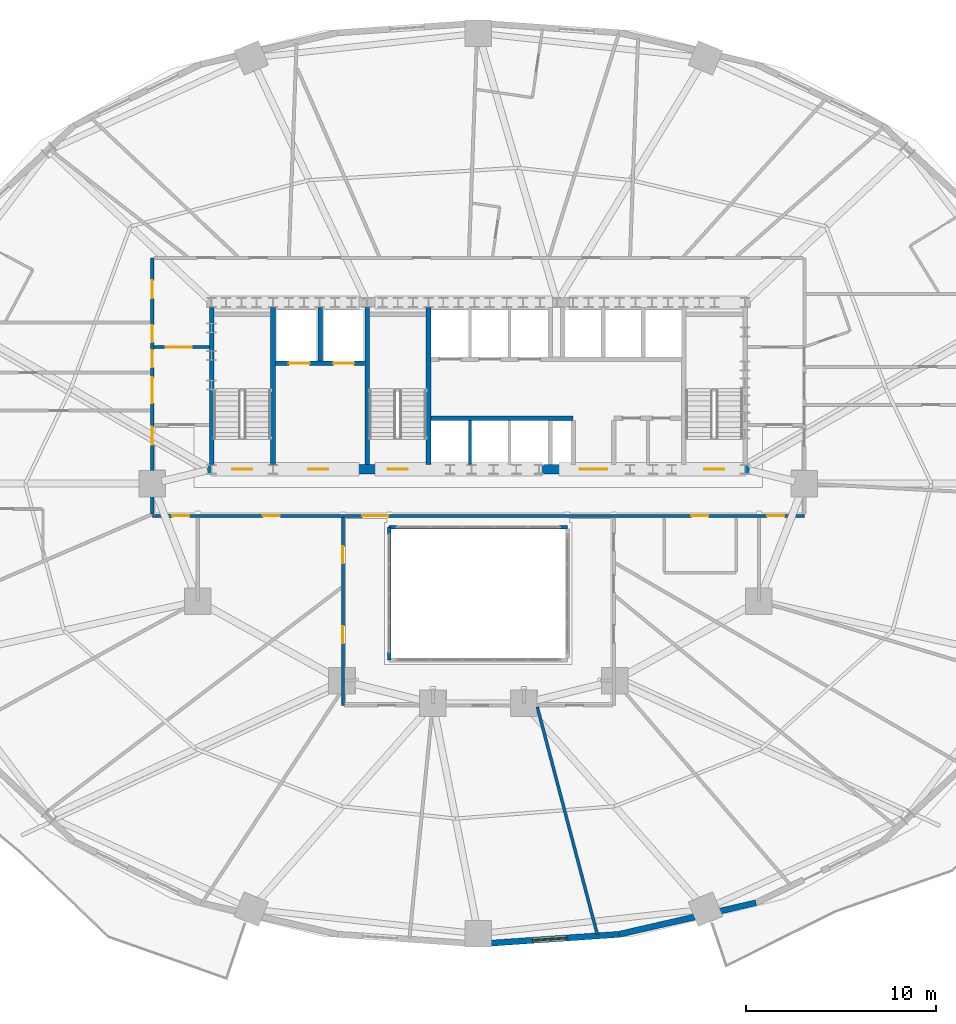
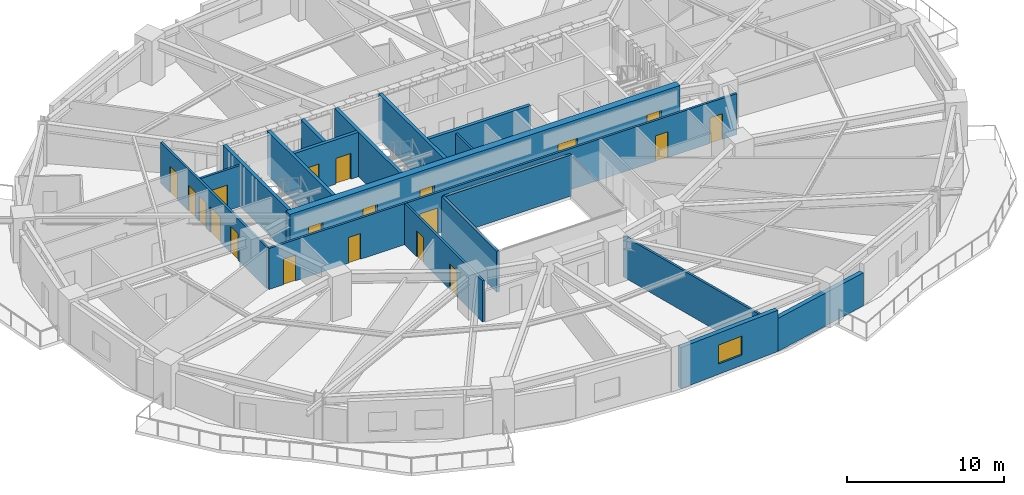
# One storey, part 10 of 17: 20 doors, 18 walls, 1 window, 21 openings.
"""IFC4 building model written with IfcOpenShell, lengths in metres."""

from ifc_helpers import new_model, si_unit, direction, frame, frame_2d, origin, place, context, subcontext, project, spatial, rectangle, extrude, material, layer, layer_set, type_object, element, fill, save


model = new_model("IFC4")

# Units and contexts
model_context = context("Model", 3, precision=1e-05, world=origin(), true_north=direction((0.0, 1.0)))
body_context = subcontext(model_context, "Body", "Model", "MODEL_VIEW")
ifc_project = project(units=[si_unit("LENGTHUNIT", "METRE"), si_unit("AREAUNIT", "SQUARE_METRE"), si_unit("VOLUMEUNIT", "CUBIC_METRE"), si_unit("PLANEANGLEUNIT", "RADIAN"), si_unit("MASSUNIT", "GRAM", prefix="KILO")], contexts=[model_context])

# Site, building, storey
site_placement = place(None, origin())
site = spatial("IfcSite", under=ifc_project, at=site_placement, CompositionType="ELEMENT")
building_placement = place(site_placement, origin())
building = spatial("IfcBuilding", under=site, at=building_placement, Name="Haldorwick Loom Tower", CompositionType="ELEMENT")
storey_placement = place(building_placement, frame((0.0, 0.0, 44.699951171875)))
storey = spatial("IfcBuildingStorey", under=building, at=storey_placement, Name="L11", CompositionType="ELEMENT", Elevation=44.699951171875)

# Wall, opening, window
ifc_material_1 = material(Name="Pressed Clay Face Brick and Insulated Masonry Backup Assembly", Category="masonry")
ifc_layer_1 = layer(ifc_material_1, 0.320068359375, Name="Pressed Clay Face Brick and Insulated Masonry Backup Assembly", Category="masonry")
ifc_layer_set_1 = layer_set([ifc_layer_1], Name="Pressed Clay Face Brick and Insulated Masonry Backup Assembly")
wall_type_1 = type_object("IfcWallType", Name="ARC-WL-EXT320", PredefinedType="STANDARD", material=ifc_layer_set_1)
wall_1_placement = place(storey_placement, frame((36.0, 1.7099609375, 0.0), z_axis=(0.0, 0.0, 1.0), x_axis=(0.997645161917, 0.068586667092, 0.0)))
wall_1 = element("IfcWall", 1, at=wall_1_placement, inside=storey, type_object=wall_type_1, Name="L11 Brick Pier and Spandrel Wall 19", PredefinedType="STANDARD", context=body_context, shape_type="SweptSolid", body=[
    extrude(rectangle(XDim=7.428955078125, YDim=0.320068359375, at=frame_2d((3.71435546875, 0.0))), origin(), (0.0, 0.0, 1.0), 3.2099609375),
])
opening_1_placement = place(wall_1_placement, frame((2.874755859375, 0.0, 0.800048828125)))
opening_1 = element("IfcOpeningElement", 2, at=opening_1_placement, cuts=wall_1, Name="Opening W-01", PredefinedType="OPENING", context=body_context, shape_type="SweptSolid", body=[
    extrude(rectangle(XDim=1.800048828125, YDim=1.47998046875, at=frame_2d((0.89990234375, 0.739990234375))), frame((0.0, 0.169921875, 0.0), z_axis=(0.0, -1.0, 0.0), x_axis=(1.0, 0.0, 0.0)), (0.0, 0.0, 1.0), 0.340087890625),
])
ifc_material_2 = material(Name="Triple-Glazed Low-E Argon Insulated Glazing Unit", Category="glass")
window_type = type_object("IfcWindowType", Name="ARC-WIN-W180", PartitioningType="SINGLE_PANEL", PredefinedType="WINDOW", material=ifc_material_2)
window_placement = place(opening_1_placement, origin())
window = element("IfcWindow", 3, at=window_placement, inside=storey, type_object=window_type, Name="L11 Deep-Set Zone 7A Window 19", OverallHeight=1.47998046875, OverallWidth=1.800048828125, PartitioningType="SINGLE_PANEL", PredefinedType="WINDOW", context=body_context, shape_type="SweptSolid", body=[
    extrude(rectangle(XDim=1.800048828125, YDim=1.47998046875, at=frame_2d((0.89990234375, 0.739990234375))), frame((0.0, 0.030029296875, 0.0), z_axis=(0.0, -1.0, 0.0), x_axis=(1.0, 0.0, 0.0)), (0.0, 0.0, 1.0), 0.06005859375),
])
fill(opening_1, window)

# Wall
wall_2_placement = place(storey_placement, frame((43.411376953125, 2.219482421875, 0.0), z_axis=(0.0, 0.0, 1.0), x_axis=(0.974522412345, 0.224290142088, 0.0)))
element("IfcWall", 4, at=wall_2_placement, inside=storey, type_object=wall_type_1, Name="L11 Brick Pier and Spandrel Wall 20", PredefinedType="STANDARD", context=body_context, shape_type="SweptSolid", body=[
    extrude(rectangle(XDim=7.422607421875, YDim=0.320068359375, at=frame_2d((3.71142578125, 0.0))), origin(), (0.0, 0.0, 1.0), 2.569091796875),
])

# Wall, openings, doors
ifc_material_3 = material(Name="Fire-Rated Type X Gypsum Stud Assembly EI 60")
ifc_layer_2 = layer(ifc_material_3, 0.159912109375, Name="Fire-Rated Type X Gypsum Stud Assembly EI 60")
ifc_layer_set_2 = layer_set([ifc_layer_2], Name="Fire-Rated Type X Gypsum Stud Assembly EI 60")
wall_type_2 = type_object("IfcWallType", Name="ARC-WL-FIRE160", PredefinedType="PARTITIONING", material=ifc_layer_set_2)
wall_3_placement = place(storey_placement, frame((18.800048828125, 24.300048828125, 0.0), z_axis=(0.0, 0.0, 1.0), x_axis=(1.0, 0.0, 0.0)))
wall_3 = element("IfcWall", 5, at=wall_3_placement, inside=storey, type_object=wall_type_2, Name="L11 Residential Fire Partition L11-CR-SP", PredefinedType="PARTITIONING", context=body_context, shape_type="SweptSolid", body=[
    extrude(rectangle(XDim=34.39990234375, YDim=0.159912109375, at=frame_2d((17.199951171875, 0.0))), origin(), (0.0, 0.0, 1.0), 3.195068359375),
])
opening_2_placement = place(wall_3_placement, frame((11.085693359375, 0.0, 0.0)))
opening_2 = element("IfcOpeningElement", 6, at=opening_2_placement, cuts=wall_3, Name="Opening D-CR15", PredefinedType="OPENING", context=body_context, shape_type="SweptSolid", body=[
    extrude(rectangle(XDim=1.35009765625, YDim=2.0, at=frame_2d((0.675048828125, 1.0))), frame((0.0, 0.08984375, 0.0), z_axis=(0.0, -1.0, 0.0), x_axis=(1.0, 0.0, 0.0)), (0.0, 0.0, 1.0), 0.179931640625),
])
opening_3_placement = place(wall_3_placement, frame((5.834716796875, 0.0, 0.0)))
opening_3 = element("IfcOpeningElement", 7, at=opening_3_placement, cuts=wall_3, Name="Opening D-FD60A", PredefinedType="OPENING", context=body_context, shape_type="SweptSolid", body=[
    extrude(rectangle(XDim=0.89990234375, YDim=2.0, at=frame_2d((0.449951171875, 1.0))), frame((0.0, 0.08984375, 0.0), z_axis=(0.0, -1.0, 0.0), x_axis=(1.0, 0.0, 0.0)), (0.0, 0.0, 1.0), 0.179931640625),
])
opening_4_placement = place(wall_3_placement, frame((28.437255859375, 0.0, 0.0)))
opening_4 = element("IfcOpeningElement", 8, at=opening_4_placement, cuts=wall_3, Name="Opening D-FD60A", PredefinedType="OPENING", context=body_context, shape_type="SweptSolid", body=[
    extrude(rectangle(XDim=0.89990234375, YDim=2.0, at=frame_2d((0.449951171875, 1.0))), frame((0.0, 0.08984375, 0.0), z_axis=(0.0, -1.0, 0.0), x_axis=(1.0, 0.0, 0.0)), (0.0, 0.0, 1.0), 0.179931640625),
])
opening_5_placement = place(wall_3_placement, frame((1.063232421875, 0.0, 0.0)))
opening_5 = element("IfcOpeningElement", 9, at=opening_5_placement, cuts=wall_3, Name="Opening D-FD60A", PredefinedType="OPENING", context=body_context, shape_type="SweptSolid", body=[
    extrude(rectangle(XDim=0.89990234375, YDim=2.0, at=frame_2d((0.449951171875, 1.0))), frame((0.0, 0.08984375, 0.0), z_axis=(0.0, -1.0, 0.0), x_axis=(1.0, 0.0, 0.0)), (0.0, 0.0, 1.0), 0.179931640625),
])
opening_6_placement = place(wall_3_placement, frame((32.436767578125, 0.0, 0.0)))
opening_6 = element("IfcOpeningElement", 10, at=opening_6_placement, cuts=wall_3, Name="Opening D-FD60A", PredefinedType="OPENING", context=body_context, shape_type="SweptSolid", body=[
    extrude(rectangle(XDim=0.89990234375, YDim=2.0, at=frame_2d((0.449951171875, 1.0))), frame((0.0, 0.08984375, 0.0), z_axis=(0.0, -1.0, 0.0), x_axis=(1.0, 0.0, 0.0)), (0.0, 0.0, 1.0), 0.179931640625),
])
ifc_material_4 = material(Name="Thermally Broken Anodized Aluminium and Tempered Glass", Category="aluminium")
door_type_1 = type_object("IfcDoorType", Name="ARC-DR-COR150", OperationType="NOTDEFINED", PredefinedType="DOOR", material=ifc_material_4)
door_1_placement = place(opening_2_placement, origin())
door_1 = element("IfcDoor", 11, at=door_1_placement, inside=storey, type_object=door_type_1, Name="L11 L11 Central Residential Corridor to L11 South Atrium Corridor Door", OperationType="DOUBLE_DOOR_SINGLE_SWING", OverallHeight=2.0, OverallWidth=1.35009765625, PredefinedType="DOOR", context=body_context, shape_type="SweptSolid", body=[
    extrude(rectangle(XDim=1.35009765625, YDim=2.0, at=frame_2d((0.675048828125, 1.0))), frame((0.0, 0.02490234375, 0.0), z_axis=(0.0, -1.0, 0.0), x_axis=(1.0, 0.0, 0.0)), (0.0, 0.0, 1.0), 0.050048828125),
])
fill(opening_2, door_1)
ifc_material_5 = material(Name="Hollow Steel Fire Door Assembly", Category="steel")
door_type_2 = type_object("IfcDoorType", Name="ARC-DR-FD60-90", OperationType="NOTDEFINED", PredefinedType="DOOR", material=ifc_material_5)
door_2_placement = place(opening_3_placement, origin())
door_2 = element("IfcDoor", 12, at=door_2_placement, inside=storey, type_object=door_type_2, Name="L11 L11 Central Residential Corridor to Community Teaching Classroom 10 ", OperationType="SINGLE_SWING_LEFT", OverallHeight=2.0, OverallWidth=0.89990234375, PredefinedType="DOOR", context=body_context, shape_type="SweptSolid", body=[
    extrude(rectangle(XDim=0.89990234375, YDim=2.0, at=frame_2d((0.449951171875, 1.0))), frame((0.0, 0.02490234375, 0.0), z_axis=(0.0, -1.0, 0.0), x_axis=(1.0, 0.0, 0.0)), (0.0, 0.0, 1.0), 0.050048828125),
])
fill(opening_3, door_2)
door_3_placement = place(opening_4_placement, origin())
door_3 = element("IfcDoor", 13, at=door_3_placement, inside=storey, type_object=door_type_2, Name="L11 L11 Central Residential Corridor to Common Accessible WC Door", OperationType="SINGLE_SWING_RIGHT", OverallHeight=2.0, OverallWidth=0.89990234375, PredefinedType="DOOR", context=body_context, shape_type="SweptSolid", body=[
    extrude(rectangle(XDim=0.89990234375, YDim=2.0, at=frame_2d((0.449951171875, 1.0))), frame((0.0, 0.02490234375, 0.0), z_axis=(0.0, -1.0, 0.0), x_axis=(1.0, 0.0, 0.0)), (0.0, 0.0, 1.0), 0.050048828125),
])
fill(opening_4, door_3)
door_4_placement = place(opening_5_placement, origin())
door_4 = element("IfcDoor", 14, at=door_4_placement, inside=storey, type_object=door_type_2, Name="L11 L11 Central Residential Corridor to Community Teaching Classroom 2 D", OperationType="SINGLE_SWING_LEFT", OverallHeight=2.0, OverallWidth=0.89990234375, PredefinedType="DOOR", context=body_context, shape_type="SweptSolid", body=[
    extrude(rectangle(XDim=0.89990234375, YDim=2.0, at=frame_2d((0.449951171875, 1.0))), frame((0.0, 0.02490234375, 0.0), z_axis=(0.0, -1.0, 0.0), x_axis=(1.0, 0.0, 0.0)), (0.0, 0.0, 1.0), 0.050048828125),
])
fill(opening_5, door_4)
door_5_placement = place(opening_6_placement, origin())
door_5 = element("IfcDoor", 15, at=door_5_placement, inside=storey, type_object=door_type_2, Name="L11 L11 Central Residential Corridor to Community Teaching Classroom 1 D", OperationType="SINGLE_SWING_RIGHT", OverallHeight=2.0, OverallWidth=0.89990234375, PredefinedType="DOOR", context=body_context, shape_type="SweptSolid", body=[
    extrude(rectangle(XDim=0.89990234375, YDim=2.0, at=frame_2d((0.449951171875, 1.0))), frame((0.0, 0.02490234375, 0.0), z_axis=(0.0, -1.0, 0.0), x_axis=(1.0, 0.0, 0.0)), (0.0, 0.0, 1.0), 0.050048828125),
])
fill(opening_6, door_5)

wall_4_placement = place(storey_placement, frame((18.800048828125, 24.383056640625, 0.0), z_axis=(0.0, 0.0, 1.0), x_axis=(0.0, 1.0, 0.0)))
wall_4 = element("IfcWall", 16, at=wall_4_placement, inside=storey, type_object=wall_type_2, Name="L11 Residential Fire Partition L11-CR-W0", PredefinedType="PARTITIONING", context=body_context, shape_type="SweptSolid", body=[
    extrude(rectangle(XDim=13.516845703125, YDim=0.159912109375, at=frame_2d((6.75830078125, 0.0))), origin(), (0.0, 0.0, 1.0), 3.195068359375),
])
opening_7_placement = place(wall_4_placement, frame((5.86181640625, 0.0, 0.0)))
opening_7 = element("IfcOpeningElement", 17, at=opening_7_placement, cuts=wall_4, Name="Opening D-CR15", PredefinedType="OPENING", context=body_context, shape_type="SweptSolid", body=[
    extrude(rectangle(XDim=1.35009765625, YDim=2.0, at=frame_2d((0.675048828125, 1.0))), frame((0.0, 0.08984375, 0.0), z_axis=(0.0, -1.0, 0.0), x_axis=(1.0, 0.0, 0.0)), (0.0, 0.0, 1.0), 0.179931640625),
])
opening_8_placement = place(wall_4_placement, frame((3.661865234375, 0.0, 0.0)))
opening_8 = element("IfcOpeningElement", 18, at=opening_8_placement, cuts=wall_4, Name="Opening D-FL95", PredefinedType="OPENING", context=body_context, shape_type="SweptSolid", body=[
    extrude(rectangle(XDim=0.949951171875, YDim=2.0400390625, at=frame_2d((0.47509765625, 1.02001953125))), frame((0.0, 0.08984375, 0.0), z_axis=(0.0, -1.0, 0.0), x_axis=(1.0, 0.0, 0.0)), (0.0, 0.0, 1.0), 0.179931640625),
])
opening_9_placement = place(wall_4_placement, frame((11.380126953125, 0.0, 0.0)))
opening_9 = element("IfcOpeningElement", 19, at=opening_9_placement, cuts=wall_4, Name="Opening D-FL95", PredefinedType="OPENING", context=body_context, shape_type="SweptSolid", body=[
    extrude(rectangle(XDim=0.949951171875, YDim=2.0400390625, at=frame_2d((0.47509765625, 1.02001953125))), frame((0.0, 0.08984375, 0.0), z_axis=(0.0, -1.0, 0.0), x_axis=(1.0, 0.0, 0.0)), (0.0, 0.0, 1.0), 0.179931640625),
])
opening_10_placement = place(wall_4_placement, frame((7.748779296875, 0.0, 0.0)))
opening_10 = element("IfcOpeningElement", 20, at=opening_10_placement, cuts=wall_4, Name="Opening D-FD60A", PredefinedType="OPENING", context=body_context, shape_type="SweptSolid", body=[
    extrude(rectangle(XDim=0.89990234375, YDim=2.0, at=frame_2d((0.449951171875, 1.0))), frame((0.0, 0.08984375, 0.0), z_axis=(0.0, -1.0, 0.0), x_axis=(1.0, 0.0, 0.0)), (0.0, 0.0, 1.0), 0.179931640625),
])
opening_11_placement = place(wall_4_placement, frame((9.078369140625, 0.0, 0.0)))
opening_11 = element("IfcOpeningElement", 21, at=opening_11_placement, cuts=wall_4, Name="Opening D-FD60A", PredefinedType="OPENING", context=body_context, shape_type="SweptSolid", body=[
    extrude(rectangle(XDim=0.89990234375, YDim=2.0, at=frame_2d((0.449951171875, 1.0))), frame((0.0, 0.08984375, 0.0), z_axis=(0.0, -1.0, 0.0), x_axis=(1.0, 0.0, 0.0)), (0.0, 0.0, 1.0), 0.179931640625),
])
door_6_placement = place(opening_7_placement, origin())
door_6 = element("IfcDoor", 22, at=door_6_placement, inside=storey, type_object=door_type_1, Name="L11 L11 West Daylight Corridor to L11 West Residential Corridor Door", OperationType="DOUBLE_DOOR_SINGLE_SWING", OverallHeight=2.0, OverallWidth=1.35009765625, PredefinedType="DOOR", context=body_context, shape_type="SweptSolid", body=[
    extrude(rectangle(XDim=1.35009765625, YDim=2.0, at=frame_2d((0.675048828125, 1.0))), frame((0.0, 0.02490234375, 0.0), z_axis=(0.0, -1.0, 0.0), x_axis=(1.0, 0.0, 0.0)), (0.0, 0.0, 1.0), 0.050048828125),
])
fill(opening_7, door_6)
door_7_placement = place(opening_10_placement, frame((0.89990234375, 0.0, 0.0), z_axis=(0.0, 0.0, 1.0), x_axis=(-1.0, 0.0, 0.0)))
door_7 = element("IfcDoor", 23, at=door_7_placement, inside=storey, type_object=door_type_2, Name="L11 Board Study Room 3 to L11 West Residential Corridor Door", OperationType="SINGLE_SWING_LEFT", OverallHeight=2.0, OverallWidth=0.89990234375, PredefinedType="DOOR", context=body_context, shape_type="SweptSolid", body=[
    extrude(rectangle(XDim=0.89990234375, YDim=2.0, at=frame_2d((0.449951171875, 1.0))), frame((0.0, 0.02490234375, 0.0), z_axis=(0.0, -1.0, 0.0), x_axis=(1.0, 0.0, 0.0)), (0.0, 0.0, 1.0), 0.050048828125),
])
fill(opening_10, door_7)
door_8_placement = place(opening_11_placement, frame((0.89990234375, 0.0, 0.0), z_axis=(0.0, 0.0, 1.0), x_axis=(-1.0, 0.0, 0.0)))
door_8 = element("IfcDoor", 24, at=door_8_placement, inside=storey, type_object=door_type_2, Name="L11 Board Study Room 3 to L11 North Residential Corridor Door", OperationType="SINGLE_SWING_RIGHT", OverallHeight=2.0, OverallWidth=0.89990234375, PredefinedType="DOOR", context=body_context, shape_type="SweptSolid", body=[
    extrude(rectangle(XDim=0.89990234375, YDim=2.0, at=frame_2d((0.449951171875, 1.0))), frame((0.0, 0.02490234375, 0.0), z_axis=(0.0, -1.0, 0.0), x_axis=(1.0, 0.0, 0.0)), (0.0, 0.0, 1.0), 0.050048828125),
])
fill(opening_11, door_8)
ifc_material_6 = material(Name="Solid Core Birch Architectural Door")
door_type_3 = type_object("IfcDoorType", Name="ARC-DR-FLAT95", OperationType="NOTDEFINED", PredefinedType="DOOR", material=ifc_material_6)
door_9_placement = place(opening_8_placement, frame((0.949951171875, 0.0, 0.0), z_axis=(0.0, 0.0, 1.0), x_axis=(-1.0, 0.0, 0.0)))
door_9 = element("IfcDoor", 25, at=door_9_placement, inside=storey, type_object=door_type_3, Name="L11 Unit 11L Kitchen and Studio Living Room to L11 Central Residential C", OperationType="SINGLE_SWING_RIGHT", OverallHeight=2.0400390625, OverallWidth=0.949951171875, PredefinedType="DOOR", context=body_context, shape_type="SweptSolid", body=[
    extrude(rectangle(XDim=0.949951171875, YDim=2.0400390625, at=frame_2d((0.47509765625, 1.02001953125))), frame((0.0, 0.02490234375, 0.0), z_axis=(0.0, -1.0, 0.0), x_axis=(1.0, 0.0, 0.0)), (0.0, 0.0, 1.0), 0.050048828125),
])
fill(opening_8, door_9)
door_10_placement = place(opening_9_placement, frame((0.949951171875, 0.0, 0.0), z_axis=(0.0, 0.0, 1.0), x_axis=(-1.0, 0.0, 0.0)))
door_10 = element("IfcDoor", 26, at=door_10_placement, inside=storey, type_object=door_type_3, Name="L11 Unit 11D Kitchen and Studio Living Room to L11 North Residential Cor", OperationType="SINGLE_SWING_LEFT", OverallHeight=2.0400390625, OverallWidth=0.949951171875, PredefinedType="DOOR", context=body_context, shape_type="SweptSolid", body=[
    extrude(rectangle(XDim=0.949951171875, YDim=2.0400390625, at=frame_2d((0.47509765625, 1.02001953125))), frame((0.0, 0.02490234375, 0.0), z_axis=(0.0, -1.0, 0.0), x_axis=(1.0, 0.0, 0.0)), (0.0, 0.0, 1.0), 0.050048828125),
])
fill(opening_9, door_10)

# Wall, opening, door
wall_5_placement = place(storey_placement, frame((18.883056640625, 33.199951171875, 0.0), z_axis=(0.0, 0.0, 1.0), x_axis=(1.0, 0.0, 0.0)))
wall_5 = element("IfcWall", 27, at=wall_5_placement, inside=storey, type_object=wall_type_2, Name="L11 Residential Fire Partition L11-CR-WNJ", PredefinedType="PARTITIONING", context=body_context, shape_type="SweptSolid", body=[
    extrude(rectangle(XDim=2.923828125, YDim=0.159912109375, at=frame_2d((1.4619140625, 0.0))), origin(), (0.0, 0.0, 1.0), 3.195068359375),
])
opening_12_placement = place(wall_5_placement, frame((0.637939453125, 0.0, 0.0)))
opening_12 = element("IfcOpeningElement", 28, at=opening_12_placement, cuts=wall_5, Name="Opening D-CR15", PredefinedType="OPENING", context=body_context, shape_type="SweptSolid", body=[
    extrude(rectangle(XDim=1.35009765625, YDim=2.0, at=frame_2d((0.675048828125, 1.0))), frame((0.0, 0.08984375, 0.0), z_axis=(0.0, -1.0, 0.0), x_axis=(1.0, 0.0, 0.0)), (0.0, 0.0, 1.0), 0.179931640625),
])
door_11_placement = place(opening_12_placement, origin())
door_11 = element("IfcDoor", 29, at=door_11_placement, inside=storey, type_object=door_type_1, Name="L11 L11 North Residential Corridor to L11 West Residential Corridor Door", OperationType="DOUBLE_DOOR_SINGLE_SWING", OverallHeight=2.0, OverallWidth=1.35009765625, PredefinedType="DOOR", context=body_context, shape_type="SweptSolid", body=[
    extrude(rectangle(XDim=1.35009765625, YDim=2.0, at=frame_2d((0.675048828125, 1.0))), frame((0.0, 0.02490234375, 0.0), z_axis=(0.0, -1.0, 0.0), x_axis=(1.0, 0.0, 0.0)), (0.0, 0.0, 1.0), 0.050048828125),
])
fill(opening_12, door_11)

# Wall, openings, doors
wall_6_placement = place(storey_placement, frame((28.85009765625, 14.300048828125, 0.0), z_axis=(0.0, 0.0, 1.0), x_axis=(0.0, 1.0, 0.0)))
wall_6 = element("IfcWall", 30, at=wall_6_placement, inside=storey, type_object=wall_type_2, Name="L11 Residential Fire Partition L11-CR-AW", PredefinedType="PARTITIONING", context=body_context, shape_type="SweptSolid", body=[
    extrude(rectangle(XDim=9.9169921875, YDim=0.159912109375, at=frame_2d((4.95849609375, 0.0))), origin(), (0.0, 0.0, 1.0), 3.195068359375),
])
opening_13_placement = place(wall_6_placement, frame((3.273681640625, 0.0, 0.0)))
opening_13 = element("IfcOpeningElement", 31, at=opening_13_placement, cuts=wall_6, Name="Opening D-FD60A", PredefinedType="OPENING", context=body_context, shape_type="SweptSolid", body=[
    extrude(rectangle(XDim=0.89990234375, YDim=2.0, at=frame_2d((0.449951171875, 1.0))), frame((0.0, 0.08984375, 0.0), z_axis=(0.0, -1.0, 0.0), x_axis=(1.0, 0.0, 0.0)), (0.0, 0.0, 1.0), 0.179931640625),
])
opening_14_placement = place(wall_6_placement, frame((7.483642578125, 0.0, 0.0)))
opening_14 = element("IfcOpeningElement", 32, at=opening_14_placement, cuts=wall_6, Name="Opening D-FD60A", PredefinedType="OPENING", context=body_context, shape_type="SweptSolid", body=[
    extrude(rectangle(XDim=0.89990234375, YDim=2.0, at=frame_2d((0.449951171875, 1.0))), frame((0.0, 0.08984375, 0.0), z_axis=(0.0, -1.0, 0.0), x_axis=(1.0, 0.0, 0.0)), (0.0, 0.0, 1.0), 0.179931640625),
])
door_12_placement = place(opening_13_placement, frame((0.89990234375, 0.0, 0.0), z_axis=(0.0, 0.0, 1.0), x_axis=(-1.0, 0.0, 0.0)))
door_12 = element("IfcDoor", 33, at=door_12_placement, inside=storey, type_object=door_type_2, Name="L11 Community Teaching Classroom 16 to L11 South Atrium Corridor Door", OperationType="SINGLE_SWING_RIGHT", OverallHeight=2.0, OverallWidth=0.89990234375, PredefinedType="DOOR", context=body_context, shape_type="SweptSolid", body=[
    extrude(rectangle(XDim=0.89990234375, YDim=2.0, at=frame_2d((0.449951171875, 1.0))), frame((0.0, 0.02490234375, 0.0), z_axis=(0.0, -1.0, 0.0), x_axis=(1.0, 0.0, 0.0)), (0.0, 0.0, 1.0), 0.050048828125),
])
fill(opening_13, door_12)
door_13_placement = place(opening_14_placement, frame((0.89990234375, 0.0, 0.0), z_axis=(0.0, 0.0, 1.0), x_axis=(-1.0, 0.0, 0.0)))
door_13 = element("IfcDoor", 34, at=door_13_placement, inside=storey, type_object=door_type_2, Name="L11 Community Teaching Classroom 10 to L11 South Atrium Corridor Door", OperationType="SINGLE_SWING_LEFT", OverallHeight=2.0, OverallWidth=0.89990234375, PredefinedType="DOOR", context=body_context, shape_type="SweptSolid", body=[
    extrude(rectangle(XDim=0.89990234375, YDim=2.0, at=frame_2d((0.449951171875, 1.0))), frame((0.0, 0.02490234375, 0.0), z_axis=(0.0, -1.0, 0.0), x_axis=(1.0, 0.0, 0.0)), (0.0, 0.0, 1.0), 0.050048828125),
])
fill(opening_14, door_13)

# Walls
wall_7_placement = place(storey_placement, frame((39.1083984375, 14.217041015625, 0.0), z_axis=(0.0, 0.0, 1.0), x_axis=(0.255103728275, -0.966913692022, 0.0)))
element("IfcWall", 35, at=wall_7_placement, inside=storey, type_object=wall_type_2, Name="L11 Suite Split Wall", PredefinedType="PARTITIONING", context=body_context, shape_type="SweptSolid", body=[
    extrude(rectangle(XDim=12.421142578125, YDim=0.159912109375, at=frame_2d((6.21044921875, 0.0))), origin(), (0.0, 0.0, 1.0), 3.195068359375),
])
ifc_material_7 = material(Name="Fire-Rated Type X Gypsum Stud Assembly EI 120")
ifc_layer_3 = layer(ifc_material_7, 0.199951171875, Name="Fire-Rated Type X Gypsum Stud Assembly EI 120")
ifc_layer_set_3 = layer_set([ifc_layer_3], Name="Fire-Rated Type X Gypsum Stud Assembly EI 120")
wall_type_3 = type_object("IfcWallType", Name="ARC-WL-FIRE200", PredefinedType="PARTITIONING", material=ifc_layer_set_3)
wall_8_placement = place(storey_placement, frame((31.300048828125, 23.699951171875, 0.0), z_axis=(0.0, 0.0, 1.0), x_axis=(1.0, 0.0, 0.0)))
element("IfcWall", 36, at=wall_8_placement, inside=storey, type_object=wall_type_3, Name="L11 Atrium Fire Enclosure Wall N", PredefinedType="PARTITIONING", context=body_context, shape_type="SweptSolid", body=[
    extrude(rectangle(XDim=9.39990234375, YDim=0.199951171875, at=frame_2d((4.699951171875, 0.0))), origin(), (0.0, 0.0, 1.0), 3.195068359375),
])
wall_9_placement = place(storey_placement, frame((31.300048828125, 16.699951171875, 0.0), z_axis=(0.0, 0.0, 1.0), x_axis=(0.0, 1.0, 0.0)))
element("IfcWall", 37, at=wall_9_placement, inside=storey, type_object=wall_type_3, Name="L11 Atrium Fire Enclosure Wall W", PredefinedType="PARTITIONING", context=body_context, shape_type="SweptSolid", body=[
    extrude(rectangle(XDim=7.0, YDim=0.199951171875, at=frame_2d((3.5, 0.0))), origin(), (0.0, 0.0, 1.0), 3.195068359375),
])
ifc_layer_4 = layer(ifc_material_7, 0.1650390625, Name="Fire-Rated Type X Gypsum Stud Assembly EI 120")
ifc_layer_set_4 = layer_set([ifc_layer_4], Name="Fire-Rated Type X Gypsum Stud Assembly EI 120")
wall_type_4 = type_object("IfcWallType", Name="ARC-WL-SHAFT160", PredefinedType="MOVABLE", material=ifc_layer_set_4)
wall_10_placement = place(storey_placement, frame((35.550048828125, 27.0029296875, 0.0), z_axis=(0.0, 0.0, 1.0), x_axis=(0.0, 1.0, 0.0)))
element("IfcWall", 38, at=wall_10_placement, inside=storey, type_object=wall_type_4, Name="L11 Mid-Rise Hoistway Divider 1", PredefinedType="MOVABLE", context=body_context, shape_type="SweptSolid", body=[
    extrude(rectangle(XDim=2.323974609375, YDim=0.159912109375, at=frame_2d((1.162109375, 0.0))), origin(), (0.0, 0.0, 1.0), 3.195068359375),
])

# Wall, openings, doors
ifc_material_8 = material(Name="Concrete C60 (60 MPa)", Category="concrete")
ifc_layer_5 = layer(ifc_material_8, 0.5, Name="Concrete C60 (60 MPa)", Category="concrete")
ifc_layer_set_5 = layer_set([ifc_layer_5], Name="Concrete C60 (60 MPa)")
wall_type_5 = type_object("IfcWallType", Name="STR-WL-CORE500", PredefinedType="SHEAR", material=ifc_layer_set_5)
wall_11_placement = place(storey_placement, frame((21.64990234375, 26.75, 0.0), z_axis=(0.0, 0.0, 1.0), x_axis=(1.0, 0.0, 0.0)))
wall_11 = element("IfcWall", 39, at=wall_11_placement, inside=storey, type_object=wall_type_5, Name="L11 Core Shear Wall S", PredefinedType="SHEAR", context=body_context, shape_type="SweptSolid", body=[
    extrude(rectangle(XDim=28.7001953125, YDim=0.5, at=frame_2d((14.35009765625, 0.0))), origin(), (0.0, 0.0, 1.0), 3.449951171875),
])
opening_15_placement = place(wall_11_placement, frame((1.375, 0.0, 0.0)))
opening_15 = element("IfcOpeningElement", 40, at=opening_15_placement, cuts=wall_11, Name="Opening D-FD60", PredefinedType="OPENING", context=body_context, shape_type="SweptSolid", body=[
    extrude(rectangle(XDim=1.050048828125, YDim=2.0, at=frame_2d((0.52490234375, 1.0))), frame((0.0, 0.260009765625, 0.0), z_axis=(0.0, -1.0, 0.0), x_axis=(1.0, 0.0, 0.0)), (0.0, 0.0, 1.0), 0.52001953125),
])
opening_16_placement = place(wall_11_placement, frame((5.375, 0.0, 0.0)))
opening_16 = element("IfcOpeningElement", 41, at=opening_16_placement, cuts=wall_11, Name="Opening D-FD60", PredefinedType="OPENING", context=body_context, shape_type="SweptSolid", body=[
    extrude(rectangle(XDim=1.050048828125, YDim=2.0, at=frame_2d((0.52490234375, 1.0))), frame((0.0, 0.260009765625, 0.0), z_axis=(0.0, -1.0, 0.0), x_axis=(1.0, 0.0, 0.0)), (0.0, 0.0, 1.0), 0.52001953125),
])
opening_17_placement = place(wall_11_placement, frame((9.574951171875, 0.0, 0.0)))
opening_17 = element("IfcOpeningElement", 42, at=opening_17_placement, cuts=wall_11, Name="Opening D-FD60", PredefinedType="OPENING", context=body_context, shape_type="SweptSolid", body=[
    extrude(rectangle(XDim=1.050048828125, YDim=2.0, at=frame_2d((0.52490234375, 1.0))), frame((0.0, 0.260009765625, 0.0), z_axis=(0.0, -1.0, 0.0), x_axis=(1.0, 0.0, 0.0)), (0.0, 0.0, 1.0), 0.52001953125),
])
opening_18_placement = place(wall_11_placement, frame((19.705078125, 0.0, 0.0)))
opening_18 = element("IfcOpeningElement", 43, at=opening_18_placement, cuts=wall_11, Name="Opening D-LB15", PredefinedType="OPENING", context=body_context, shape_type="SweptSolid", body=[
    extrude(rectangle(XDim=1.449951171875, YDim=2.0, at=frame_2d((0.72509765625, 1.0))), frame((0.0, 0.260009765625, 0.0), z_axis=(0.0, -1.0, 0.0), x_axis=(1.0, 0.0, 0.0)), (0.0, 0.0, 1.0), 0.52001953125),
])
opening_19_placement = place(wall_11_placement, frame((26.27490234375, 0.0, 0.0)))
opening_19 = element("IfcOpeningElement", 44, at=opening_19_placement, cuts=wall_11, Name="Opening D-FD60", PredefinedType="OPENING", context=body_context, shape_type="SweptSolid", body=[
    extrude(rectangle(XDim=1.050048828125, YDim=2.0, at=frame_2d((0.52490234375, 1.0))), frame((0.0, 0.260009765625, 0.0), z_axis=(0.0, -1.0, 0.0), x_axis=(1.0, 0.0, 0.0)), (0.0, 0.0, 1.0), 0.52001953125),
])
door_type_4 = type_object("IfcDoorType", Name="ARC-DR-FD60", OperationType="NOTDEFINED", PredefinedType="DOOR", material=ifc_material_5)
door_14_placement = place(opening_15_placement, origin())
door_14 = element("IfcDoor", 45, at=door_14_placement, inside=storey, type_object=door_type_4, Name="L11 Exit Stair ST-01 Fire Door", OperationType="SINGLE_SWING_LEFT", OverallHeight=2.0, OverallWidth=1.050048828125, PredefinedType="DOOR", context=body_context, shape_type="SweptSolid", body=[
    extrude(rectangle(XDim=1.050048828125, YDim=2.0, at=frame_2d((0.52490234375, 1.0))), frame((0.0, 0.02490234375, 0.0), z_axis=(0.0, -1.0, 0.0), x_axis=(1.0, 0.0, 0.0)), (0.0, 0.0, 1.0), 0.050048828125),
])
fill(opening_15, door_14)
door_15_placement = place(opening_16_placement, origin())
door_15 = element("IfcDoor", 46, at=door_15_placement, inside=storey, type_object=door_type_4, Name="L11 Firefighting Lift Lobby Fire Door", OperationType="SINGLE_SWING_RIGHT", OverallHeight=2.0, OverallWidth=1.050048828125, PredefinedType="DOOR", context=body_context, shape_type="SweptSolid", body=[
    extrude(rectangle(XDim=1.050048828125, YDim=2.0, at=frame_2d((0.52490234375, 1.0))), frame((0.0, 0.02490234375, 0.0), z_axis=(0.0, -1.0, 0.0), x_axis=(1.0, 0.0, 0.0)), (0.0, 0.0, 1.0), 0.050048828125),
])
fill(opening_16, door_15)
door_16_placement = place(opening_17_placement, origin())
door_16 = element("IfcDoor", 47, at=door_16_placement, inside=storey, type_object=door_type_4, Name="L11 Exit Stair ST-03 Fire Door", OperationType="SINGLE_SWING_LEFT", OverallHeight=2.0, OverallWidth=1.050048828125, PredefinedType="DOOR", context=body_context, shape_type="SweptSolid", body=[
    extrude(rectangle(XDim=1.050048828125, YDim=2.0, at=frame_2d((0.52490234375, 1.0))), frame((0.0, 0.02490234375, 0.0), z_axis=(0.0, -1.0, 0.0), x_axis=(1.0, 0.0, 0.0)), (0.0, 0.0, 1.0), 0.050048828125),
])
fill(opening_17, door_16)
door_17_placement = place(opening_19_placement, origin())
door_17 = element("IfcDoor", 48, at=door_17_placement, inside=storey, type_object=door_type_4, Name="L11 Exit Stair ST-02 Fire Door", OperationType="SINGLE_SWING_LEFT", OverallHeight=2.0, OverallWidth=1.050048828125, PredefinedType="DOOR", context=body_context, shape_type="SweptSolid", body=[
    extrude(rectangle(XDim=1.050048828125, YDim=2.0, at=frame_2d((0.52490234375, 1.0))), frame((0.0, 0.02490234375, 0.0), z_axis=(0.0, -1.0, 0.0), x_axis=(1.0, 0.0, 0.0)), (0.0, 0.0, 1.0), 0.050048828125),
])
fill(opening_19, door_17)
door_type_5 = type_object("IfcDoorType", Name="ARC-DR-LOB150", OperationType="NOTDEFINED", PredefinedType="DOOR", material=ifc_material_4)
door_18_placement = place(opening_18_placement, frame((1.449951171875, 0.0, 0.0), z_axis=(0.0, 0.0, 1.0), x_axis=(-1.0, 0.0, 0.0)))
door_18 = element("IfcDoor", 49, at=door_18_placement, inside=storey, type_object=door_type_5, Name="L11 Passenger Lift Lobby Fire Door", OperationType="DOUBLE_DOOR_SINGLE_SWING", OverallHeight=2.0, OverallWidth=1.449951171875, PredefinedType="DOOR", context=body_context, shape_type="SweptSolid", body=[
    extrude(rectangle(XDim=1.449951171875, YDim=2.0, at=frame_2d((0.72509765625, 1.0))), frame((0.0, 0.02490234375, 0.0), z_axis=(0.0, -1.0, 0.0), x_axis=(1.0, 0.0, 0.0)), (0.0, 0.0, 1.0), 0.050048828125),
])
fill(opening_18, door_18)

# Walls
ifc_material_9 = material(Name="Concrete C50 (50 MPa)", Category="concrete")
ifc_layer_6 = layer(ifc_material_9, 0.239990234375, Name="Concrete C50 (50 MPa)", Category="concrete")
ifc_layer_set_6 = layer_set([ifc_layer_6], Name="Concrete C50 (50 MPa)")
wall_type_6 = type_object("IfcWallType", Name="STR-WL-SHAFT240", PredefinedType="SHEAR", material=ifc_layer_set_6)
for number, where, z_axis, x_axis, name in (
    (50, (21.929931640625, 35.297119140625, 0.0), (0.0, 0.0, 1.0), (0.0, -1.0, 0.0), "L11 Core Shear Wall W"),
    (51, (25.169921875, 27.0029296875, 0.0), (0.0, 0.0, 1.0), (0.0, 1.0, 0.0), "L11 Core Shear Wall 1"),
    (52, (30.1298828125, 27.0029296875, 0.0), (0.0, 0.0, 1.0), (0.0, 1.0, 0.0), "L11 Core Shear Wall 2"),
    (53, (33.3701171875, 27.0029296875, 0.0), (0.0, 0.0, 1.0), (0.0, 1.0, 0.0), "L11 Core Shear Wall 3"),
):
    element("IfcWall", number, at=place(storey_placement, frame(where, z_axis=z_axis, x_axis=x_axis)), inside=storey, type_object=wall_type_6, Name=name, PredefinedType="SHEAR", context=body_context, shape_type="SweptSolid", body=[
        extrude(rectangle(XDim=8.294189453125, YDim=0.239990234375, at=frame_2d((4.14697265625, 0.0))), origin(), (0.0, 0.0, 1.0), 3.449951171875),
    ])

# Wall, openings, doors
wall_12_placement = place(storey_placement, frame((25.29296875, 32.35009765625, 0.0), z_axis=(0.0, 0.0, 1.0), x_axis=(1.0, 0.0, 0.0)))
wall_12 = element("IfcWall", 54, at=wall_12_placement, inside=storey, type_object=wall_type_6, Name="L11 Core Shear Wall FF", PredefinedType="SHEAR", context=body_context, shape_type="SweptSolid", body=[
    extrude(rectangle(XDim=4.714111328125, YDim=0.239990234375, at=frame_2d((2.35693359375, 0.0))), origin(), (0.0, 0.0, 1.0), 3.449951171875),
])
opening_20_placement = place(wall_12_placement, frame((0.70703125, 0.0, 0.0)))
opening_20 = element("IfcOpeningElement", 55, at=opening_20_placement, cuts=wall_12, Name="Opening LD-FF1", PredefinedType="OPENING", context=body_context, shape_type="SweptSolid", body=[
    extrude(rectangle(XDim=1.10009765625, YDim=2.0, at=frame_2d((0.550048828125, 1.0))), frame((0.0, 0.1298828125, 0.0), z_axis=(0.0, -1.0, 0.0), x_axis=(1.0, 0.0, 0.0)), (0.0, 0.0, 1.0), 0.260009765625),
])
opening_21_placement = place(wall_12_placement, frame((3.056884765625, 0.0, 0.0)))
opening_21 = element("IfcOpeningElement", 56, at=opening_21_placement, cuts=wall_12, Name="Opening LD-FF2", PredefinedType="OPENING", context=body_context, shape_type="SweptSolid", body=[
    extrude(rectangle(XDim=1.10009765625, YDim=2.0, at=frame_2d((0.550048828125, 1.0))), frame((0.0, 0.1298828125, 0.0), z_axis=(0.0, -1.0, 0.0), x_axis=(1.0, 0.0, 0.0)), (0.0, 0.0, 1.0), 0.260009765625),
])
door_type_6 = type_object("IfcDoorType", Name="ARC-DR-LD-FF", OperationType="NOTDEFINED", PredefinedType="USERDEFINED", material=ifc_material_5)
door_19_placement = place(opening_20_placement, origin())
door_19 = element("IfcDoor", 57, at=door_19_placement, inside=storey, type_object=door_type_6, Name="L11 Lift LF-FF1 Sliding Landing Door", ObjectType="LANDING DOOR", OperationType="DOUBLE_DOOR_SLIDING", OverallHeight=2.0, OverallWidth=1.10009765625, PredefinedType="USERDEFINED", context=body_context, shape_type="SweptSolid", body=[
    extrude(rectangle(XDim=1.10009765625, YDim=2.0, at=frame_2d((0.550048828125, 1.0))), frame((0.0, 0.02490234375, 0.0), z_axis=(0.0, -1.0, 0.0), x_axis=(1.0, 0.0, 0.0)), (0.0, 0.0, 1.0), 0.050048828125),
])
fill(opening_20, door_19)
door_20_placement = place(opening_21_placement, origin())
door_20 = element("IfcDoor", 58, at=door_20_placement, inside=storey, type_object=door_type_6, Name="L11 Lift LF-FF2 Sliding Landing Door", ObjectType="LANDING DOOR", OperationType="DOUBLE_DOOR_SLIDING", OverallHeight=2.0, OverallWidth=1.10009765625, PredefinedType="USERDEFINED", context=body_context, shape_type="SweptSolid", body=[
    extrude(rectangle(XDim=1.10009765625, YDim=2.0, at=frame_2d((0.550048828125, 1.0))), frame((0.0, 0.02490234375, 0.0), z_axis=(0.0, -1.0, 0.0), x_axis=(1.0, 0.0, 0.0)), (0.0, 0.0, 1.0), 0.050048828125),
])
fill(opening_21, door_20)

# Walls
wall_13_placement = place(storey_placement, frame((27.64990234375, 32.472900390625, 0.0), z_axis=(0.0, 0.0, 1.0), x_axis=(0.0, 1.0, 0.0)))
element("IfcWall", 59, at=wall_13_placement, inside=storey, type_object=wall_type_6, Name="L11 Core Shear Wall FFD", PredefinedType="SHEAR", context=body_context, shape_type="SweptSolid", body=[
    extrude(rectangle(XDim=2.82421875, YDim=0.239990234375, at=frame_2d((1.412109375, 0.0))), origin(), (0.0, 0.0, 1.0), 3.449951171875),
])
wall_14_placement = place(storey_placement, frame((33.492919921875, 29.449951171875, 0.0), z_axis=(0.0, 0.0, 1.0), x_axis=(1.0, 0.0, 0.0)))
element("IfcWall", 60, at=wall_14_placement, inside=storey, type_object=wall_type_6, Name="L11 Core Shear Wall LS1", PredefinedType="SHEAR", context=body_context, shape_type="SweptSolid", body=[
    extrude(rectangle(XDim=7.507080078125, YDim=0.239990234375, at=frame_2d((3.75341796875, 0.0))), origin(), (0.0, 0.0, 1.0), 3.449951171875),
])

save(model, "model.ifc")
